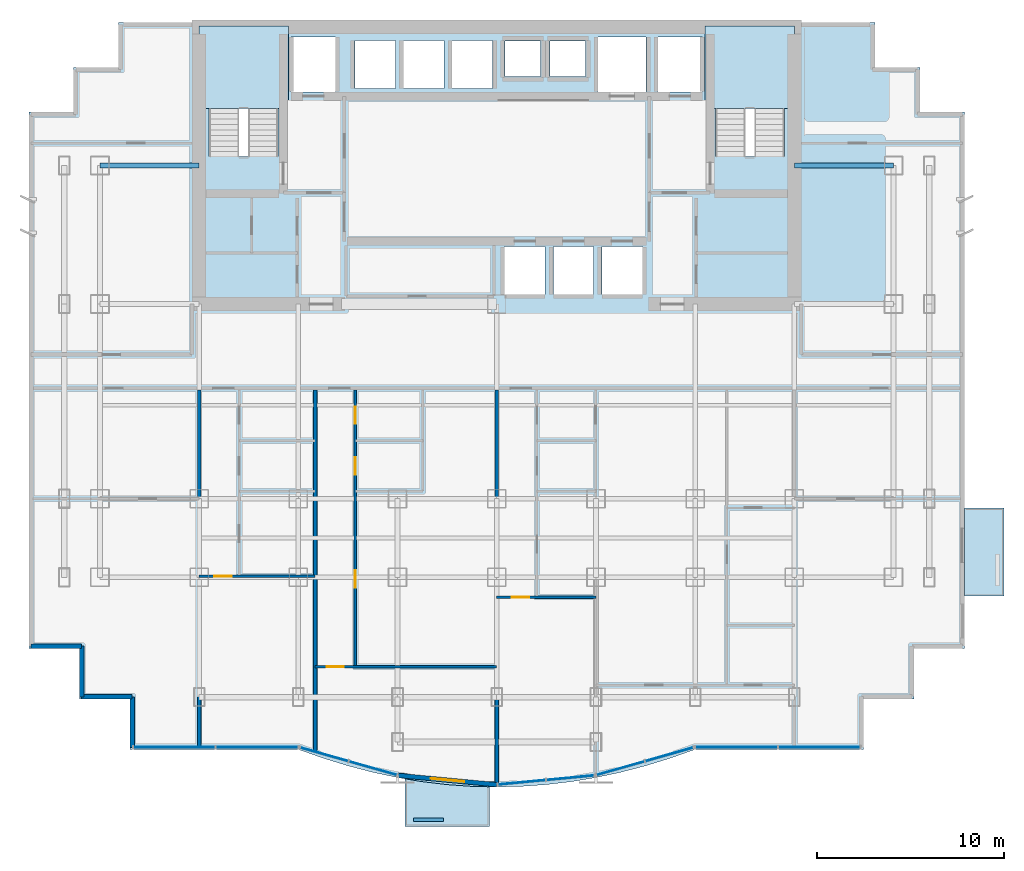
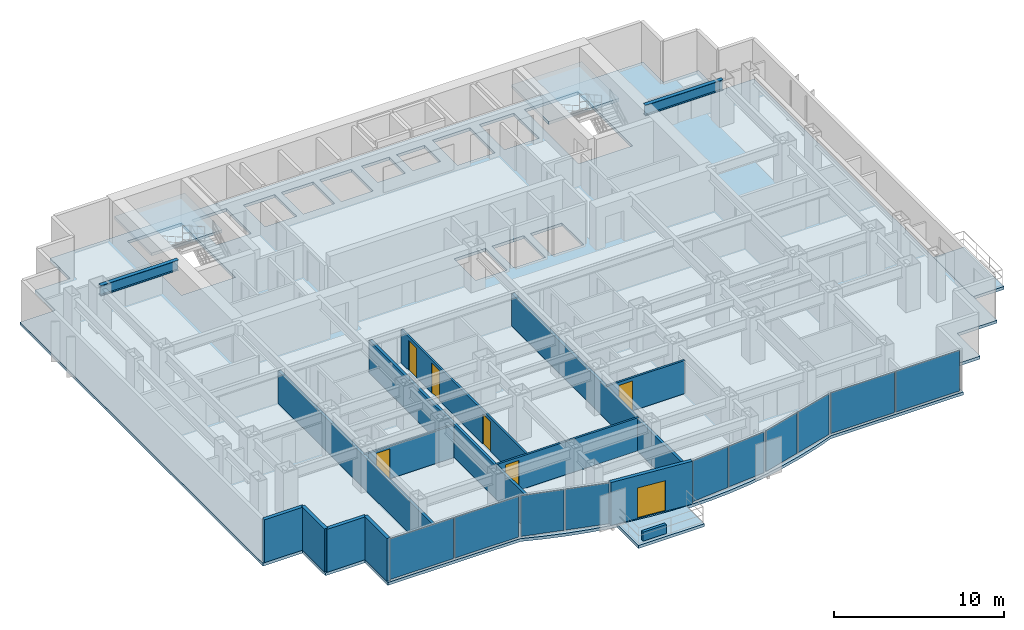
# One storey, part 4 of 10: 13 walls, 10 plates, 7 doors, 5 slabs, 2 beams, 7 openings, 7 elements without a shape of their own.
"""IFC4 building model written with IfcOpenShell, lengths in metres."""

from ifc_helpers import new_model, si_unit, direction, frame, frame_2d, origin, origin_2d, place, context, subcontext, project, spatial, polyline, rectangle, i_section, outline, extrude, source, transform, mapped, material, layer, layer_set, material_profile, profile_set, type_object, element, fill, aggregate, save


model = new_model("IFC4")

# Units and contexts
model_context = context("Model", 3, precision=1e-05, world=origin(), true_north=direction((0.0, 1.0)))
body_context = subcontext(model_context, "Body", "Model", "MODEL_VIEW")
ifc_project = project(units=[si_unit("LENGTHUNIT", "METRE"), si_unit("AREAUNIT", "SQUARE_METRE"), si_unit("VOLUMEUNIT", "CUBIC_METRE"), si_unit("PLANEANGLEUNIT", "RADIAN"), si_unit("MASSUNIT", "GRAM", prefix="KILO")], contexts=[model_context])

# Site, building, storey
site_placement = place(None, origin())
site = spatial("IfcSite", under=ifc_project, at=site_placement, CompositionType="ELEMENT")
building_placement = place(site_placement, origin())
building = spatial("IfcBuilding", under=site, at=building_placement, Name="Qianlan Lanfeng Residences", CompositionType="ELEMENT")
storey_placement = place(building_placement, frame((0.0, 0.0, 91.60009765625)))
storey = spatial("IfcBuildingStorey", under=building, at=storey_placement, Name="L24", CompositionType="ELEMENT", Elevation=91.60009765625)

# Beams
ifc_material_1 = material(Name="Steel SN490B", Category="steel")
ifc_material_profile = material_profile(ifc_material_1, i_section(OverallWidth=0.25, OverallDepth=0.75, WebThickness=0.013916015625, FlangeThickness=0.02490234375, at=origin_2d()), Name="H 750x250x14x25")
ifc_profile_set = profile_set([ifc_material_profile], Name="Steel SN490B")
beam_type = type_object("IfcBeamType", Name="G-850", PredefinedType="BEAM", material=ifc_profile_set)
for number, where, z_axis, x_axis, name in (
    (1, (5.300048828125, 32.60009765625, 2.71484375), (1.0, 0.0, 0.0), (0.0, 1.0, 0.0), "Structural beam G-850"),
    (2, (42.39990234375, 32.60009765625, 2.71484375), (1.0, 0.0, 0.0), (0.0, 1.0, 0.0), "Structural beam G-850"),
):
    element("IfcBeam", number, at=place(storey_placement, frame(where, z_axis=z_axis, x_axis=x_axis)), inside=storey, type_object=beam_type, Name=name, PredefinedType="BEAM", context=body_context, shape_type="SweptSolid", body=[
        extrude(i_section(OverallWidth=0.25, OverallDepth=0.75, WebThickness=0.013916015625, FlangeThickness=0.02490234375, at=origin_2d()), origin(), (0.0, 0.0, 1.0), 5.300048828125),
    ])

# Slabs
ifc_material_2 = material(Name="Concrete C42", Category="concrete")
ifc_layer_1 = layer(ifc_material_2, 0.2099609375)
ifc_layer_set_1 = layer_set([ifc_layer_1], Name="Concrete C42")
slab_type_1 = type_object("IfcSlabType", Name="S-BAL-210", PredefinedType="FLOOR", material=ifc_layer_set_1)
slab_1_placement = place(storey_placement, frame((0.0, 0.0, -0.210205078125)))
element("IfcSlab", 3, at=slab_1_placement, inside=storey, type_object=slab_type_1, Name="L24 Planted Tree Balcony Slab SB-C", PredefinedType="FLOOR", context=body_context, shape_type="SweptSolid", body=[
    extrude(outline(polyline([(26.10009765625, -0.591064453125), (25.177001953125, -0.569091796875), (23.85498046875, -0.47509765625), (22.531982421875, -0.319091796875), (21.60009765625, -0.1650390625), (21.60009765625, -2.699951171875), (26.10009765625, -2.699951171875), (26.10009765625, -0.591064453125)])), origin(), (0.0, 0.0, 1.0), 0.210205078125),
])
slab_2_placement = place(storey_placement, frame((0.0, 0.0, -0.210205078125)))
element("IfcSlab", 4, at=slab_2_placement, inside=storey, type_object=slab_type_1, Name="L24 Planted Tree Balcony Slab EB-S", PredefinedType="FLOOR", context=body_context, shape_type="SweptSolid", body=[
    extrude(outline(polyline([(51.5, 14.300048828125), (51.5, 9.60009765625), (53.60009765625, 9.60009765625), (53.60009765625, 14.300048828125), (51.5, 14.300048828125)])), origin(), (0.0, 0.0, 1.0), 0.210205078125),
])
ifc_layer_2 = layer(ifc_material_2, 0.2099609375)
ifc_layer_set_2 = layer_set([ifc_layer_2], Name="Concrete C42")
slab_type_2 = type_object("IfcSlabType", Name="S-FL-210", PredefinedType="FLOOR", material=ifc_layer_set_2)
slab_3_placement = place(storey_placement, frame((0.0, 0.0, -0.210205078125)))
element("IfcSlab", 5, at=slab_3_placement, inside=storey, type_object=slab_type_2, Name="L24 Structural Floor Slab", PredefinedType="FLOOR", context=body_context, shape_type="SweptSolid", body=[
    extrude(outline(polyline([(1.5, 6.800048828125), (4.199951171875, 6.800048828125), (4.199951171875, 4.10009765625), (6.89990234375, 4.10009765625), (6.89990234375, 1.39990234375), (15.919921875, 1.39990234375), (17.241943359375, 0.930908203125), (18.56494140625, 0.52490234375), (19.886962890625, 0.180908203125), (21.2099609375, -0.10009765625), (22.531982421875, -0.319091796875), (23.85498046875, -0.47509765625), (25.177001953125, -0.569091796875), (26.5, -0.60009765625), (27.822021484375, -0.569091796875), (29.14501953125, -0.47509765625), (30.467041015625, -0.319091796875), (31.7900390625, -0.10009765625), (33.112060546875, 0.180908203125), (34.43505859375, 0.52490234375), (35.758056640625, 0.930908203125), (37.080078125, 1.39990234375), (46.10009765625, 1.39990234375), (46.10009765625, 4.10009765625), (48.800048828125, 4.10009765625), (48.800048828125, 6.800048828125), (51.5, 6.800048828125), (51.5, 35.449951171875), (49.10009765625, 35.449951171875), (49.10009765625, 37.85009765625), (46.699951171875, 37.85009765625), (46.699951171875, 40.25), (6.300048828125, 40.25), (6.300048828125, 37.85009765625), (3.89990234375, 37.85009765625), (3.89990234375, 35.449951171875), (1.5, 35.449951171875), (1.5, 6.800048828125)]), holes=[polyline([(11.139892578125, 33.080078125), (11.139892578125, 39.5), (14.820068359375, 39.5), (14.820068359375, 33.080078125), (11.139892578125, 33.080078125)]), polyline([(38.179931640625, 33.080078125), (38.179931640625, 39.5), (41.860107421875, 39.5), (41.860107421875, 33.080078125), (38.179931640625, 33.080078125)]), polyline([(15.52001953125, 36.52001953125), (15.52001953125, 39.47998046875), (17.8798828125, 39.47998046875), (17.8798828125, 36.52001953125), (15.52001953125, 36.52001953125)]), polyline([(35.1201171875, 36.52001953125), (35.1201171875, 39.47998046875), (37.47998046875, 39.47998046875), (37.47998046875, 36.52001953125), (35.1201171875, 36.52001953125)]), polyline([(31.919921875, 36.52001953125), (31.919921875, 39.47998046875), (34.47998046875, 39.47998046875), (34.47998046875, 36.52001953125), (31.919921875, 36.52001953125)]), polyline([(26.919921875, 25.719970703125), (26.919921875, 28.280029296875), (29.080078125, 28.280029296875), (29.080078125, 25.719970703125), (26.919921875, 25.719970703125)]), polyline([(29.52001953125, 25.719970703125), (29.52001953125, 28.280029296875), (31.679931640625, 28.280029296875), (31.679931640625, 25.719970703125), (29.52001953125, 25.719970703125)]), polyline([(32.1201171875, 25.719970703125), (32.1201171875, 28.280029296875), (34.280029296875, 28.280029296875), (34.280029296875, 25.719970703125), (32.1201171875, 25.719970703125)]), polyline([(18.919921875, 36.719970703125), (18.919921875, 39.280029296875), (21.080078125, 39.280029296875), (21.080078125, 36.719970703125), (18.919921875, 36.719970703125)]), polyline([(21.52001953125, 36.719970703125), (21.52001953125, 39.280029296875), (23.679931640625, 39.280029296875), (23.679931640625, 36.719970703125), (21.52001953125, 36.719970703125)]), polyline([(24.1201171875, 36.719970703125), (24.1201171875, 39.280029296875), (26.280029296875, 39.280029296875), (26.280029296875, 36.719970703125), (24.1201171875, 36.719970703125)]), polyline([(26.949951171875, 37.35009765625), (26.949951171875, 39.25), (28.85009765625, 39.25), (28.85009765625, 37.35009765625), (26.949951171875, 37.35009765625)]), polyline([(29.35009765625, 37.35009765625), (29.35009765625, 39.25), (31.25, 39.25), (31.25, 37.35009765625), (29.35009765625, 37.35009765625)])]), origin(), (0.0, 0.0, 1.0), 0.210205078125),
])

# Stair, slab
stair_type = type_object("IfcStairType", Name="STR-MAIN", PredefinedType="HALF_TURN_STAIR", material=ifc_material_2)
stair_1_placement = place(storey_placement, origin())
stair_1 = element("IfcStair", 6, at=stair_1_placement, inside=storey, type_object=stair_type, Name="L24 Exit Stair ST-1", PredefinedType="HALF_TURN_STAIR")
ifc_layer_3 = layer(ifc_material_2, 0.179931640625)
ifc_layer_set_3 = layer_set([ifc_layer_3], Name="Concrete C42")
slab_type_3 = type_object("IfcSlabType", Name="S-LND-180", PredefinedType="LANDING", material=ifc_layer_set_3)
slab_4_placement = place(storey_placement, frame((0.0, 0.0, 1.449951171875)))
slab_4 = element("IfcSlab", 7, at=slab_4_placement, type_object=slab_type_3, Name="ST-1 landing 1", PredefinedType="LANDING", context=body_context, shape_type="SweptSolid", body=[
    extrude(outline(polyline([(10.580078125, 35.659912109375), (15.3798828125, 35.659912109375), (15.3798828125, 40.050048828125), (10.580078125, 40.050048828125), (10.580078125, 35.659912109375)])), origin(), (0.0, 0.0, 1.0), 0.199951171875),
])
aggregate(stair_1, [slab_4])

stair_2_placement = place(storey_placement, origin())
stair_2 = element("IfcStair", 8, at=stair_2_placement, inside=storey, type_object=stair_type, Name="L24 Exit Stair ST-2", PredefinedType="HALF_TURN_STAIR")
slab_5_placement = place(storey_placement, frame((0.0, 0.0, 1.449951171875)))
slab_5 = element("IfcSlab", 9, at=slab_5_placement, type_object=slab_type_3, Name="ST-2 landing 1", PredefinedType="LANDING", context=body_context, shape_type="SweptSolid", body=[
    extrude(outline(polyline([(37.6201171875, 35.659912109375), (42.419921875, 35.659912109375), (42.419921875, 40.050048828125), (37.6201171875, 40.050048828125), (37.6201171875, 35.659912109375)])), origin(), (0.0, 0.0, 1.0), 0.199951171875),
])
aggregate(stair_2, [slab_5])

# Curtain wall, plates
ifc_material_3 = material(Name="Anodised Bronze Aluminium 6063-T6", Category="aluminium")
ifc_layer_4 = layer(ifc_material_3, 0.219970703125)
ifc_layer_set_4 = layer_set([ifc_layer_4], Name="Anodised Bronze Aluminium 6063-T6")
curtain_wall_type = type_object("IfcCurtainWallType", Name="CW-03", PredefinedType="NOTDEFINED", material=ifc_layer_set_4)
curtain_wall_1_placement = place(storey_placement, origin())
curtain_wall_1 = element("IfcCurtainWall", 10, at=curtain_wall_1_placement, inside=storey, type_object=curtain_wall_type, Name="L24 Unitised Curtain Wall CWR-L24-01 (CW-03)", PredefinedType="NOTDEFINED")
ifc_material_4 = material(Name="Clear Low-E Insulated Glass", Category="glass")
ifc_layer_5 = layer(ifc_material_4, 0.035888671875)
ifc_layer_set_5 = layer_set([ifc_layer_5], Name="Clear Low-E Insulated Glass")
plate_type_1 = type_object("IfcPlateType", Name="PNL-GLZ-CLR", PredefinedType="CURTAIN_PANEL", material=ifc_layer_set_5)
shared_shape_1 = source(origin(), body_context, "Body", "SweptSolid", [
    extrude(rectangle(XDim=4.342529296875, YDim=0.035888671875, at=origin_2d()), origin(), (0.0, 0.0, 1.0), 2.931884765625),
])
plate_1_placement = place(storey_placement, frame((9.270263671875, 1.52001953125, 0.0791015625), z_axis=(0.0, 0.0, 1.0), x_axis=(1.0, 0.0, 0.0)))
plate_1 = element("IfcPlate", 11, at=plate_1_placement, type_object=plate_type_1, Name="CWR-L24-01 Curtain Panel 1", PredefinedType="CURTAIN_PANEL", context=body_context, shape_type="MappedRepresentation", body=[
    mapped(shared_shape_1, transform((0.0, 0.0, 0.0), scale=1.0)),
])
plate_2_placement = place(storey_placement, frame((13.690673828125, 1.52001953125, 0.0791015625), z_axis=(0.0, 0.0, 1.0), x_axis=(1.0, 0.0, 0.0)))
plate_2 = element("IfcPlate", 12, at=plate_2_placement, type_object=plate_type_1, Name="CWR-L24-01 Curtain Panel 2", PredefinedType="CURTAIN_PANEL", context=body_context, shape_type="MappedRepresentation", body=[
    mapped(shared_shape_1, transform((0.0, 0.0, 0.0), scale=1.0)),
])
aggregate(curtain_wall_1, [plate_1, plate_2])

curtain_wall_2_placement = place(storey_placement, origin())
curtain_wall_2 = element("IfcCurtainWall", 13, at=curtain_wall_2_placement, inside=storey, type_object=curtain_wall_type, Name="L24 Unitised Curtain Wall CWR-L24-05 (CW-03)", PredefinedType="NOTDEFINED")
plate_3_placement = place(storey_placement, frame((39.30908203125, 1.52001953125, 0.0791015625), z_axis=(0.0, 0.0, 1.0), x_axis=(1.0, 0.0, 0.0)))
plate_3 = element("IfcPlate", 14, at=plate_3_placement, type_object=plate_type_1, Name="CWR-L24-05 Curtain Panel 1", PredefinedType="CURTAIN_PANEL", context=body_context, shape_type="MappedRepresentation", body=[
    mapped(shared_shape_1, transform((0.0, 0.0, 0.0), scale=1.0)),
])
plate_4_placement = place(storey_placement, frame((43.729736328125, 1.52001953125, 0.0791015625), z_axis=(0.0, 0.0, 1.0), x_axis=(1.0, 0.0, 0.0)))
plate_4 = element("IfcPlate", 15, at=plate_4_placement, type_object=plate_type_1, Name="CWR-L24-05 Curtain Panel 2", PredefinedType="CURTAIN_PANEL", context=body_context, shape_type="MappedRepresentation", body=[
    mapped(shared_shape_1, transform((0.0, 0.0, 0.0), scale=1.0)),
])
aggregate(curtain_wall_2, [plate_3, plate_4])

# Curtain wall, plate
curtain_wall_3_placement = place(storey_placement, origin())
curtain_wall_3 = element("IfcCurtainWall", 16, at=curtain_wall_3_placement, inside=storey, type_object=curtain_wall_type, Name="L24 Unitised Curtain Wall CWR-L24-02 (CW-03)", PredefinedType="NOTDEFINED")
shared_shape_2 = source(origin(), body_context, "Body", "SweptSolid", [
    extrude(rectangle(XDim=2.632080078125, YDim=0.035888671875, at=origin_2d()), origin(), (0.0, 0.0, 1.0), 2.931884765625),
])
plate_5_placement = place(storey_placement, frame((17.282958984375, 1.138916015625, 0.0791015625), z_axis=(0.0, 0.0, 1.0), x_axis=(0.961989074302, -0.273087936247, 0.0)))
plate_5 = element("IfcPlate", 17, at=plate_5_placement, type_object=plate_type_1, Name="CWR-L24-02 Curtain Panel 1", PredefinedType="CURTAIN_PANEL", context=body_context, shape_type="MappedRepresentation", body=[
    mapped(shared_shape_2, transform((0.0, 0.0, 0.0), scale=1.0)),
])

curtain_wall_4_placement = place(storey_placement, origin())
curtain_wall_4 = element("IfcCurtainWall", 18, at=curtain_wall_4_placement, inside=storey, type_object=curtain_wall_type, Name="L24 Unitised Curtain Wall CWR-L24-04 (CW-03)", PredefinedType="NOTDEFINED")
plate_6_placement = place(storey_placement, frame((33.110107421875, 0.39892578125, 0.0791015625), z_axis=(0.0, 0.0, 1.0), x_axis=(0.961989074302, 0.273087936247, 0.0)))
plate_6 = element("IfcPlate", 19, at=plate_6_placement, type_object=plate_type_1, Name="CWR-L24-04 Curtain Panel 1", PredefinedType="CURTAIN_PANEL", context=body_context, shape_type="MappedRepresentation", body=[
    mapped(shared_shape_2, transform((0.0, 0.0, 0.0), scale=1.0)),
])

# Plate
ifc_material_5 = material(Name="Perforated Champagne Gold Aluminium Panel", Category="aluminium")
ifc_layer_6 = layer(ifc_material_5, 0.0400390625)
ifc_layer_set_6 = layer_set([ifc_layer_6], Name="Perforated Champagne Gold Aluminium Panel")
plate_type_2 = type_object("IfcPlateType", Name="PNL-PRF-GLD", PredefinedType="CURTAIN_PANEL", material=ifc_layer_set_6)
shared_shape_3 = source(origin(), body_context, "Body", "SweptSolid", [
    extrude(rectangle(XDim=2.632080078125, YDim=0.0400390625, at=origin_2d()), origin(), (0.0, 0.0, 1.0), 2.931884765625),
])
plate_7_placement = place(storey_placement, frame((19.889892578125, 0.39892578125, 0.0791015625), z_axis=(0.0, 0.0, 1.0), x_axis=(0.961989074302, -0.273087936247, 0.0)))
plate_7 = element("IfcPlate", 20, at=plate_7_placement, type_object=plate_type_2, Name="CWR-L24-02 Curtain Panel 2", PredefinedType="CURTAIN_PANEL", context=body_context, shape_type="MappedRepresentation", body=[
    mapped(shared_shape_3, transform((0.0, 0.0, 0.0), scale=1.0)),
])

aggregate(curtain_wall_3, [plate_5, plate_7])

plate_8_placement = place(storey_placement, frame((35.717041015625, 1.138916015625, 0.0791015625), z_axis=(0.0, 0.0, 1.0), x_axis=(0.961989074302, 0.273087936247, 0.0)))
plate_8 = element("IfcPlate", 21, at=plate_8_placement, type_object=plate_type_2, Name="CWR-L24-04 Curtain Panel 2", PredefinedType="CURTAIN_PANEL", context=body_context, shape_type="MappedRepresentation", body=[
    mapped(shared_shape_3, transform((0.0, 0.0, 0.0), scale=1.0)),
])

aggregate(curtain_wall_4, [plate_6, plate_8])

# Curtain wall, plates
curtain_wall_5_placement = place(storey_placement, origin())
curtain_wall_5 = element("IfcCurtainWall", 22, at=curtain_wall_5_placement, inside=storey, type_object=curtain_wall_type, Name="L24 Unitised Curtain Wall CWR-L24-03 (CW-03)", PredefinedType="NOTDEFINED")
shared_shape_4 = source(origin(), body_context, "Body", "SweptSolid", [
    extrude(rectangle(XDim=2.527587890625, YDim=0.035888671875, at=origin_2d()), origin(), (0.0, 0.0, 1.0), 2.931884765625),
])
plate_9_placement = place(storey_placement, frame((27.8369140625, -0.353515625, 0.0791015625), z_axis=(0.0, 0.0, 1.0), x_axis=(0.995561471839, 0.094113526067, 0.0)))
plate_9 = element("IfcPlate", 23, at=plate_9_placement, type_object=plate_type_1, Name="CWR-L24-03 Curtain Panel 1", PredefinedType="CURTAIN_PANEL", context=body_context, shape_type="MappedRepresentation", body=[
    mapped(shared_shape_4, transform((0.0, 0.0, 0.0), scale=1.0)),
])
shared_shape_5 = source(origin(), body_context, "Body", "SweptSolid", [
    extrude(rectangle(XDim=2.52783203125, YDim=0.035888671875, at=origin_2d()), origin(), (0.0, 0.0, 1.0), 2.931884765625),
])
plate_10_placement = place(storey_placement, frame((30.43115234375, -0.1083984375, 0.0791015625), z_axis=(0.0, 0.0, 1.0), x_axis=(0.995561471839, 0.094113526067, 0.0)))
plate_10 = element("IfcPlate", 24, at=plate_10_placement, type_object=plate_type_1, Name="CWR-L24-03 Curtain Panel 2", PredefinedType="CURTAIN_PANEL", context=body_context, shape_type="MappedRepresentation", body=[
    mapped(shared_shape_5, transform((0.0, 0.0, 0.0), scale=1.0)),
])
aggregate(curtain_wall_5, [plate_9, plate_10])

# Walls
ifc_layer_7 = layer(ifc_material_2, 0.239990234375)
ifc_layer_set_7 = layer_set([ifc_layer_7], Name="Concrete C42")
wall_type_1 = type_object("IfcWallType", Name="EW-240", PredefinedType="SOLIDWALL", material=ifc_layer_set_7)
for number, where, z_axis, x_axis, name in (
    (25, (1.6201171875, 6.919921875, 0.0), (0.0, 0.0, 1.0), (1.0, 0.0, 0.0), "L24 Exterior Facade Spandrel Wall 1"),
    (26, (4.320068359375, 6.919921875, 0.0), (0.0, 0.0, 1.0), (0.0, -1.0, 0.0), "L24 Exterior Facade Spandrel Wall 2"),
    (27, (4.320068359375, 4.219970703125, 0.0), (0.0, 0.0, 1.0), (1.0, 0.0, 0.0), "L24 Exterior Facade Spandrel Wall 3"),
    (28, (7.02001953125, 4.219970703125, 0.0), (0.0, 0.0, 1.0), (0.0, -1.0, 0.0), "L24 Exterior Facade Spandrel Wall 4"),
):
    element("IfcWall", number, at=place(storey_placement, frame(where, z_axis=z_axis, x_axis=x_axis)), inside=storey, type_object=wall_type_1, Name=name, PredefinedType="SOLIDWALL", context=body_context, shape_type="SweptSolid", body=[
        extrude(rectangle(XDim=2.699951171875, YDim=0.239990234375, at=frame_2d((1.35009765625, 0.0))), origin(), (0.0, 0.0, 1.0), 3.08984375),
    ])

# Wall, opening, door
wall_1_placement = place(storey_placement, frame((21.23193359375, 0.01806640625, 0.0), z_axis=(0.0, 0.0, 1.0), x_axis=(0.995560760834, -0.094121046997, 0.0)))
wall_1 = element("IfcWall", 29, at=wall_1_placement, inside=storey, type_object=wall_type_1, Name="L24 Terrace/Balcony Access Exterior Wall 5", PredefinedType="SOLIDWALL", context=body_context, shape_type="SweptSolid", body=[
    extrude(rectangle(XDim=5.29150390625, YDim=0.239990234375, at=frame_2d((2.645751953125, 0.0))), origin(), (0.0, 0.0, 1.0), 3.08984375),
])
opening_1_placement = place(wall_1_placement, frame((1.742919921875, 0.0, 0.0)))
opening_1 = element("IfcOpeningElement", 30, at=opening_1_placement, cuts=wall_1, Name="Opening L24-D-SB-C", PredefinedType="OPENING", context=body_context, shape_type="SweptSolid", body=[
    extrude(rectangle(XDim=1.800048828125, YDim=2.199951171875, at=frame_2d((0.89990234375, 1.10009765625))), frame((0.0, 0.1298828125, 0.0), z_axis=(0.0, -1.0, 0.0), x_axis=(1.0, 0.0, 0.0)), (0.0, 0.0, 1.0), 0.260009765625),
])
ifc_material_6 = material(Name="Anodised Bronze Aluminium Framed Glass", Category="aluminium")
door_type_1 = type_object("IfcDoorType", Name="DT-BAL1", OperationType="NOTDEFINED", PredefinedType="DOOR", material=ifc_material_6)
door_1_placement = place(opening_1_placement, frame((1.800048828125, 0.0, 0.0), z_axis=(0.0, 0.0, 1.0), x_axis=(-1.0, 0.0, 0.0)))
door_1 = element("IfcDoor", 31, at=door_1_placement, inside=storey, type_object=door_type_1, Name="L24 Exterior Access Door SB-C", OperationType="DOUBLE_DOOR_SLIDING", OverallHeight=2.199951171875, OverallWidth=1.800048828125, PredefinedType="DOOR", context=body_context, shape_type="SweptSolid", body=[
    extrude(rectangle(XDim=1.800048828125, YDim=2.199951171875, at=frame_2d((0.89990234375, 1.10009765625))), frame((0.0, 0.02490234375, 0.0), z_axis=(0.0, -1.0, 0.0), x_axis=(1.0, 0.0, 0.0)), (0.0, 0.0, 1.0), 0.050048828125),
])
fill(opening_1, door_1)

# Wall
ifc_layer_8 = layer(ifc_material_2, 0.199951171875)
ifc_layer_set_8 = layer_set([ifc_layer_8], Name="Concrete C42")
wall_type_2 = type_object("IfcWallType", Name="PL-TREE-200", PredefinedType="PARAPET", material=ifc_layer_set_8)
wall_2_placement = place(storey_placement, frame((22.050048828125, -2.35009765625, 0.0), z_axis=(0.0, 0.0, 1.0), x_axis=(1.0, 0.0, 0.0)))
element("IfcWall", 32, at=wall_2_placement, inside=storey, type_object=wall_type_2, Name="L24 Balcony Tree Planter Curb SB-C", PredefinedType="PARAPET", context=body_context, shape_type="SweptSolid", body=[
    extrude(rectangle(XDim=1.599853515625, YDim=0.199951171875, at=frame_2d((0.7998046875, 0.0))), origin(), (0.0, 0.0, 1.0), 0.64990234375),
])

# Wall, opening, door
ifc_material_7 = material(Name="Moisture-Resistant Gypsum Partition 135 mm")
ifc_layer_9 = layer(ifc_material_7, 0.135009765625)
ifc_layer_set_9 = layer_set([ifc_layer_9], Name="Moisture-Resistant Gypsum Partition 135 mm")
wall_type_3 = type_object("IfcWallType", Name="PW-135", PredefinedType="PARTITIONING", material=ifc_layer_set_9)
wall_3_placement = place(storey_placement, frame((10.60009765625, 10.652099609375, 0.0), z_axis=(0.0, 0.0, 1.0), x_axis=(1.0, 0.0, 0.0)))
wall_3 = element("IfcWall", 33, at=wall_3_placement, inside=storey, type_object=wall_type_3, Name="L24 U01 Living Divider", PredefinedType="PARTITIONING", context=body_context, shape_type="SweptSolid", body=[
    extrude(rectangle(XDim=6.199951171875, YDim=0.135009765625, at=frame_2d((3.10009765625, 0.0))), origin(), (0.0, 0.0, 1.0), 2.3349609375),
])
opening_2_placement = place(wall_3_placement, frame((0.81494140625, 0.0, 0.0)))
opening_2 = element("IfcOpeningElement", 34, at=opening_2_placement, cuts=wall_3, Name="Opening L24-D18", PredefinedType="OPENING", context=body_context, shape_type="SweptSolid", body=[
    extrude(rectangle(XDim=0.919921875, YDim=2.14990234375, at=frame_2d((0.4599609375, 1.074951171875))), frame((0.0, 0.07763671875, 0.0), z_axis=(0.0, -1.0, 0.0), x_axis=(1.0, 0.0, 0.0)), (0.0, 0.0, 1.0), 0.155029296875),
])
ifc_material_8 = material(Name="Glazed Timber Kitchen/Study Door", Category="wood")
door_type_2 = type_object("IfcDoorType", Name="DT-INT", OperationType="NOTDEFINED", PredefinedType="DOOR", material=ifc_material_8)
door_2_placement = place(opening_2_placement, origin())
door_2 = element("IfcDoor", 35, at=door_2_placement, inside=storey, type_object=door_type_2, Name="L24 U01 Living Passage Door L24-D18 (DT-INT)", OperationType="SINGLE_SWING_RIGHT", OverallHeight=2.14990234375, OverallWidth=0.919921875, PredefinedType="DOOR", context=body_context, shape_type="SweptSolid", body=[
    extrude(rectangle(XDim=0.919921875, YDim=2.14990234375, at=frame_2d((0.4599609375, 1.074951171875))), frame((0.0, 0.02490234375, 0.0), z_axis=(0.0, -1.0, 0.0), x_axis=(1.0, 0.0, 0.0)), (0.0, 0.0, 1.0), 0.050048828125),
])
fill(opening_2, door_2)

wall_4_placement = place(storey_placement, frame((16.800048828125, 5.822998046875, 0.0), z_axis=(0.0, 0.0, 1.0), x_axis=(1.0, 0.0, 0.0)))
wall_4 = element("IfcWall", 36, at=wall_4_placement, inside=storey, type_object=wall_type_3, Name="L24 U02 Living Divider", PredefinedType="PARTITIONING", context=body_context, shape_type="SweptSolid", body=[
    extrude(rectangle(XDim=9.699951171875, YDim=0.135009765625, at=frame_2d((4.85009765625, 0.0))), origin(), (0.0, 0.0, 1.0), 2.3798828125),
])
opening_3_placement = place(wall_4_placement, frame((0.614990234375, 0.0, 0.0)))
opening_3 = element("IfcOpeningElement", 37, at=opening_3_placement, cuts=wall_4, Name="Opening L24-D23", PredefinedType="OPENING", context=body_context, shape_type="SweptSolid", body=[
    extrude(rectangle(XDim=0.919921875, YDim=2.14990234375, at=frame_2d((0.4599609375, 1.074951171875))), frame((0.0, 0.07763671875, 0.0), z_axis=(0.0, -1.0, 0.0), x_axis=(1.0, 0.0, 0.0)), (0.0, 0.0, 1.0), 0.155029296875),
])
door_3_placement = place(opening_3_placement, frame((0.919921875, 0.0, 0.0), z_axis=(0.0, 0.0, 1.0), x_axis=(-1.0, 0.0, 0.0)))
door_3 = element("IfcDoor", 38, at=door_3_placement, inside=storey, type_object=door_type_2, Name="L24 U02 Living Passage Door L24-D23 (DT-INT)", OperationType="SINGLE_SWING_RIGHT", OverallHeight=2.14990234375, OverallWidth=0.919921875, PredefinedType="DOOR", context=body_context, shape_type="SweptSolid", body=[
    extrude(rectangle(XDim=0.919921875, YDim=2.14990234375, at=frame_2d((0.4599609375, 1.074951171875))), frame((0.0, 0.02490234375, 0.0), z_axis=(0.0, -1.0, 0.0), x_axis=(1.0, 0.0, 0.0)), (0.0, 0.0, 1.0), 0.050048828125),
])
fill(opening_3, door_3)

# Wall, openings, doors
wall_5_placement = place(storey_placement, frame((18.949951171875, 5.822998046875, 0.0), z_axis=(0.0, 0.0, 1.0), x_axis=(0.0, 1.0, 0.0)))
wall_5 = element("IfcWall", 39, at=wall_5_placement, inside=storey, type_object=wall_type_3, Name="L24 U02 Entry Hall Spine", PredefinedType="PARTITIONING", context=body_context, shape_type="SweptSolid", body=[
    extrude(rectangle(XDim=14.777099609375, YDim=0.135009765625, at=frame_2d((7.388671875, 0.0))), origin(), (0.0, 0.0, 1.0), 2.3798828125),
])
opening_4_placement = place(wall_5_placement, frame((4.22900390625, 0.0, 0.0)))
opening_4 = element("IfcOpeningElement", 40, at=opening_4_placement, cuts=wall_5, Name="Opening L24-D24", PredefinedType="OPENING", context=body_context, shape_type="SweptSolid", body=[
    extrude(rectangle(XDim=0.919921875, YDim=2.14990234375, at=frame_2d((0.4599609375, 1.074951171875))), frame((0.0, 0.07763671875, 0.0), z_axis=(0.0, -1.0, 0.0), x_axis=(1.0, 0.0, 0.0)), (0.0, 0.0, 1.0), 0.155029296875),
])
opening_5_placement = place(wall_5_placement, frame((10.26708984375, 0.0, 0.0)))
opening_5 = element("IfcOpeningElement", 41, at=opening_5_placement, cuts=wall_5, Name="Opening L24-D25", PredefinedType="OPENING", context=body_context, shape_type="SweptSolid", body=[
    extrude(rectangle(XDim=0.919921875, YDim=2.14990234375, at=frame_2d((0.4599609375, 1.074951171875))), frame((0.0, 0.07763671875, 0.0), z_axis=(0.0, -1.0, 0.0), x_axis=(1.0, 0.0, 0.0)), (0.0, 0.0, 1.0), 0.155029296875),
])
opening_6_placement = place(wall_5_placement, frame((12.97705078125, 0.0, 0.0)))
opening_6 = element("IfcOpeningElement", 42, at=opening_6_placement, cuts=wall_5, Name="Opening L24-D26", PredefinedType="OPENING", context=body_context, shape_type="SweptSolid", body=[
    extrude(rectangle(XDim=0.89990234375, YDim=2.14990234375, at=frame_2d((0.449951171875, 1.074951171875))), frame((0.0, 0.07763671875, 0.0), z_axis=(0.0, -1.0, 0.0), x_axis=(1.0, 0.0, 0.0)), (0.0, 0.0, 1.0), 0.155029296875),
])
door_4_placement = place(opening_4_placement, origin())
door_4 = element("IfcDoor", 43, at=door_4_placement, inside=storey, type_object=door_type_2, Name="L24 U02 Study Door L24-D24 (DT-INT)", OperationType="SINGLE_SWING_LEFT", OverallHeight=2.14990234375, OverallWidth=0.919921875, PredefinedType="DOOR", context=body_context, shape_type="SweptSolid", body=[
    extrude(rectangle(XDim=0.919921875, YDim=2.14990234375, at=frame_2d((0.4599609375, 1.074951171875))), frame((0.0, 0.02490234375, 0.0), z_axis=(0.0, -1.0, 0.0), x_axis=(1.0, 0.0, 0.0)), (0.0, 0.0, 1.0), 0.050048828125),
])
fill(opening_4, door_4)
door_5_placement = place(opening_5_placement, origin())
door_5 = element("IfcDoor", 44, at=door_5_placement, inside=storey, type_object=door_type_2, Name="L24 U02 Kitchen Door L24-D25 (DT-INT)", OperationType="SINGLE_SWING_RIGHT", OverallHeight=2.14990234375, OverallWidth=0.919921875, PredefinedType="DOOR", context=body_context, shape_type="SweptSolid", body=[
    extrude(rectangle(XDim=0.919921875, YDim=2.14990234375, at=frame_2d((0.4599609375, 1.074951171875))), frame((0.0, 0.02490234375, 0.0), z_axis=(0.0, -1.0, 0.0), x_axis=(1.0, 0.0, 0.0)), (0.0, 0.0, 1.0), 0.050048828125),
])
fill(opening_5, door_5)
ifc_material_9 = material(Name="Moisture-Resistant Timber Leaf", Category="wood")
door_type_3 = type_object("IfcDoorType", Name="DT-WC", OperationType="NOTDEFINED", PredefinedType="DOOR", material=ifc_material_9)
door_6_placement = place(opening_6_placement, origin())
door_6 = element("IfcDoor", 45, at=door_6_placement, inside=storey, type_object=door_type_3, Name="L24 U02 Bathroom Door L24-D26 (DT-WC)", OperationType="SINGLE_SWING_LEFT", OverallHeight=2.14990234375, OverallWidth=0.89990234375, PredefinedType="DOOR", context=body_context, shape_type="SweptSolid", body=[
    extrude(rectangle(XDim=0.89990234375, YDim=2.14990234375, at=frame_2d((0.449951171875, 1.074951171875))), frame((0.0, 0.02490234375, 0.0), z_axis=(0.0, -1.0, 0.0), x_axis=(1.0, 0.0, 0.0)), (0.0, 0.0, 1.0), 0.050048828125),
])
fill(opening_6, door_6)

# Wall, opening, door
wall_6_placement = place(storey_placement, frame((26.5, 9.547119140625, 0.0), z_axis=(0.0, 0.0, 1.0), x_axis=(1.0, 0.0, 0.0)))
wall_6 = element("IfcWall", 46, at=wall_6_placement, inside=storey, type_object=wall_type_3, Name="L24 U03 Living Divider", PredefinedType="PARTITIONING", context=body_context, shape_type="SweptSolid", body=[
    extrude(rectangle(XDim=5.300048828125, YDim=0.135009765625, at=frame_2d((2.64990234375, 0.0))), origin(), (0.0, 0.0, 1.0), 2.3798828125),
])
opening_7_placement = place(wall_6_placement, frame((0.81494140625, 0.0, 0.0)))
opening_7 = element("IfcOpeningElement", 47, at=opening_7_placement, cuts=wall_6, Name="Opening L24-D29", PredefinedType="OPENING", context=body_context, shape_type="SweptSolid", body=[
    extrude(rectangle(XDim=0.919921875, YDim=2.14990234375, at=frame_2d((0.4599609375, 1.074951171875))), frame((0.0, 0.07763671875, 0.0), z_axis=(0.0, -1.0, 0.0), x_axis=(1.0, 0.0, 0.0)), (0.0, 0.0, 1.0), 0.155029296875),
])
door_7_placement = place(opening_7_placement, frame((0.919921875, 0.0, 0.0), z_axis=(0.0, 0.0, 1.0), x_axis=(-1.0, 0.0, 0.0)))
door_7 = element("IfcDoor", 48, at=door_7_placement, inside=storey, type_object=door_type_2, Name="L24 U03 Living Passage Door L24-D29 (DT-INT)", OperationType="SINGLE_SWING_LEFT", OverallHeight=2.14990234375, OverallWidth=0.919921875, PredefinedType="DOOR", context=body_context, shape_type="SweptSolid", body=[
    extrude(rectangle(XDim=0.919921875, YDim=2.14990234375, at=frame_2d((0.4599609375, 1.074951171875))), frame((0.0, 0.02490234375, 0.0), z_axis=(0.0, -1.0, 0.0), x_axis=(1.0, 0.0, 0.0)), (0.0, 0.0, 1.0), 0.050048828125),
])
fill(opening_7, door_7)

# Walls
ifc_material_10 = material(Name="Double-Layer Acoustic Gypsum Stud Wall 180 mm")
ifc_layer_10 = layer(ifc_material_10, 0.179931640625)
ifc_layer_set_10 = layer_set([ifc_layer_10], Name="Double-Layer Acoustic Gypsum Stud Wall 180 mm")
wall_type_4 = type_object("IfcWallType", Name="PW-180", PredefinedType="PARTITIONING", material=ifc_layer_set_10)
wall_7_placement = place(storey_placement, frame((10.60009765625, 1.6201171875, 0.0), z_axis=(0.0, 0.0, 1.0), x_axis=(0.0, 1.0, 0.0)))
element("IfcWall", 49, at=wall_7_placement, inside=storey, type_object=wall_type_4, Name="L24 Wing Boundary Party Wall W0", PredefinedType="PARTITIONING", context=body_context, shape_type="SweptSolid", body=[
    extrude(rectangle(XDim=18.97998046875, YDim=0.179931640625, at=frame_2d((9.489990234375, 0.0))), origin(), (0.0, 0.0, 1.0), 2.3349609375),
])
wall_8_placement = place(storey_placement, frame((16.800048828125, 1.321044921875, 0.0), z_axis=(0.0, 0.0, 1.0), x_axis=(0.0, 1.0, 0.0)))
element("IfcWall", 50, at=wall_8_placement, inside=storey, type_object=wall_type_4, Name="L24 Inter-Tenancy Party Wall 2", PredefinedType="PARTITIONING", context=body_context, shape_type="SweptSolid", body=[
    extrude(rectangle(XDim=19.279052734375, YDim=0.179931640625, at=frame_2d((9.6396484375, 0.0))), origin(), (0.0, 0.0, 1.0), 2.3798828125),
])
wall_9_placement = place(storey_placement, frame((26.5, -0.3798828125, 0.0), z_axis=(0.0, 0.0, 1.0), x_axis=(0.0, 1.0, 0.0)))
element("IfcWall", 51, at=wall_9_placement, inside=storey, type_object=wall_type_4, Name="L24 Inter-Tenancy Party Wall 3", PredefinedType="PARTITIONING", context=body_context, shape_type="SweptSolid", body=[
    extrude(rectangle(XDim=20.97998046875, YDim=0.179931640625, at=frame_2d((10.489990234375, 0.0))), origin(), (0.0, 0.0, 1.0), 2.3349609375),
])

save(model, "model.ifc")
